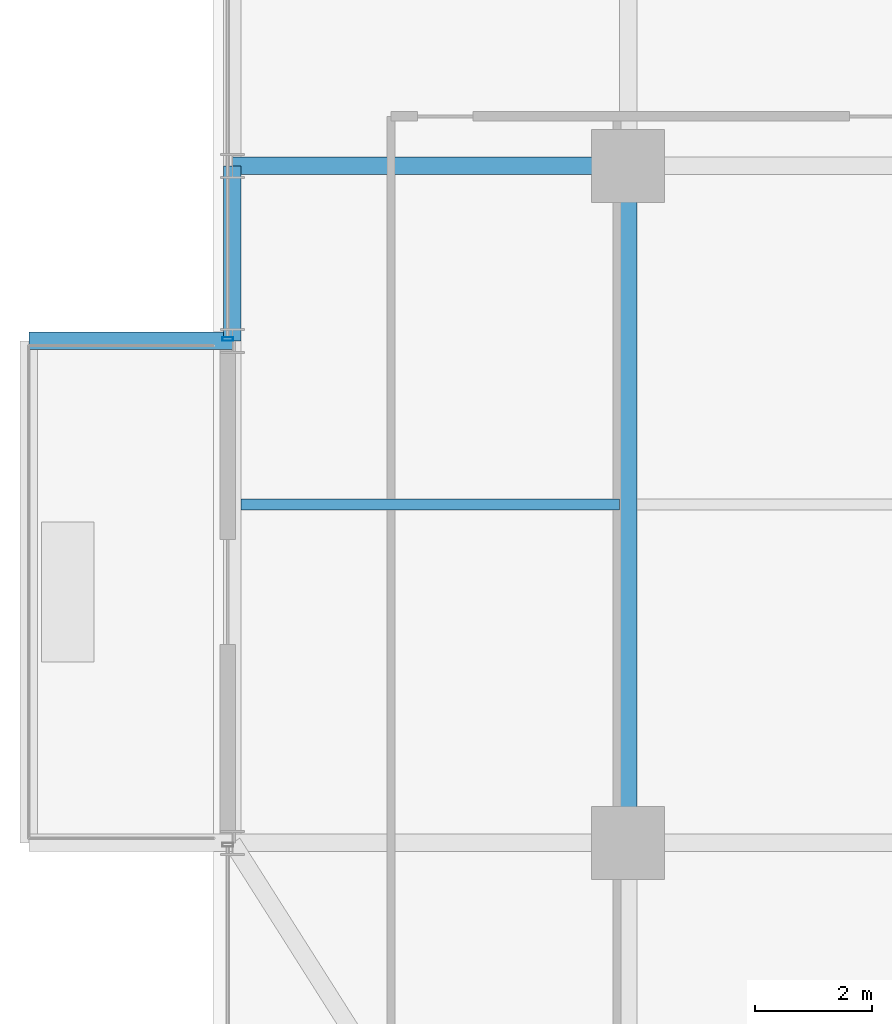
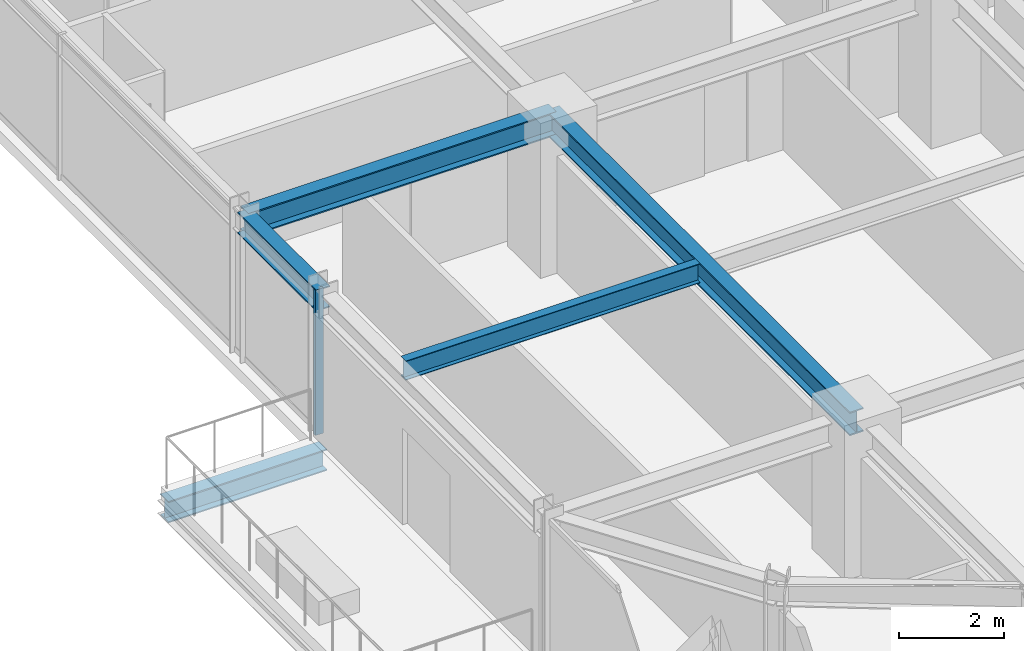
# One storey, part 7 of 32: 5 beams, 1 member, 1 element without a shape of its own.
"""IFC4 building model written with IfcOpenShell, lengths in metres."""

import ifcopenshell
import ifcopenshell.guid

model = None  # the IFC model being written
_history = None  # IfcOwnerHistory: only IFC2X3 demands one
_inside = {}  # id of a spatial element -> (the spatial element, [elements in it])
_under = {}  # id of a project, library or spatial element -> (it, [spatial elements below it])
_declared = {}  # id of a project -> (the project, [libraries it declares])
_typed = {}  # id of a type object -> (the type object, [elements of that type])
_made_of = {}  # id of a material, layer set ... -> (it, [elements and type objects made of it])


def new_model(schema):
    """Start an empty IFC model of exactly this schema.

    Asked for "IFC4X3", IfcOpenShell would pick the latest addendum, in which some entities
    have other attributes; the version numbers below select the first issue.
    IFC2X3 requires an IfcOwnerHistory on every rooted entity: one is made here for all.
    """
    global model, _history
    if schema == "IFC4X3":
        model = ifcopenshell.file(schema_version=(4, 3, 0, 0))
    else:
        model = ifcopenshell.file(schema=schema)
    _inside.clear()
    _under.clear()
    _declared.clear()
    _typed.clear()
    _made_of.clear()
    _history = None
    if model.schema == "IFC2X3":
        org = make("IfcOrganization", Name="unknown")
        user = make(
            "IfcPersonAndOrganization",
            ThePerson=make("IfcPerson", FamilyName="unknown"),
            TheOrganization=org,
        )
        app = make(
            "IfcApplication",
            ApplicationDeveloper=org,
            Version="unknown",
            ApplicationFullName="unknown",
            ApplicationIdentifier="unknown",
        )
        _history = make(
            "IfcOwnerHistory",
            OwningUser=user,
            OwningApplication=app,
            ChangeAction="ADDED",
            CreationDate=0,
        )
    return model


def make(cls, **values):
    """One entity of the class cls with the attributes given. An attribute that is None is left unset."""
    return model.create_entity(
        cls, **{name: value for name, value in values.items() if value is not None}
    )


def rooted(cls, **values):
    """An entity with a GlobalId (a new one), such as an element, a storey or a relation."""
    return make(cls, GlobalId=ifcopenshell.guid.new(), OwnerHistory=_history, **values)


def si_unit(unit_type, name, prefix=None):
    """IfcSIUnit, for example si_unit("LENGTHUNIT", "METRE", prefix="MILLI")."""
    return make("IfcSIUnit", UnitType=unit_type, Prefix=prefix, Name=name)


def assignment(units):
    """IfcUnitAssignment: the units of a project."""
    return None if units is None else make("IfcUnitAssignment", Units=units)


def point(xyz):
    """IfcCartesianPoint."""
    return None if xyz is None else make("IfcCartesianPoint", Coordinates=xyz)


def direction(xyz):
    """IfcDirection."""
    return None if xyz is None else make("IfcDirection", DirectionRatios=xyz)


def frame(location, z_axis=None, x_axis=None):
    """IfcAxis2Placement3D, a coordinate frame: its origin and axes. An axis left out is left unset."""
    return make(
        "IfcAxis2Placement3D",
        Location=point(location),
        Axis=direction(z_axis),
        RefDirection=direction(x_axis),
    )


def frame_2d(location, x_axis=None):
    """IfcAxis2Placement2D, a coordinate frame in the plane: its origin and x axis."""
    return make(
        "IfcAxis2Placement2D", Location=point(location), RefDirection=direction(x_axis)
    )


def origin():
    """The frame at (0, 0, 0) with its axes left unset."""
    return frame((0.0, 0.0, 0.0))


def origin_2d():
    """The frame at (0, 0) in the plane with its x axis left unset."""
    return frame_2d((0.0, 0.0))


def place(relative_to, where):
    """IfcLocalPlacement: puts the frame where relative to a parent placement (None: the world)."""
    return make(
        "IfcLocalPlacement", PlacementRelTo=relative_to, RelativePlacement=where
    )


def context(
    kind, dimensions, precision=None, world=None, true_north=None, identifier=None
):
    """IfcGeometricRepresentationContext, for example the 3D "Model" context."""
    return make(
        "IfcGeometricRepresentationContext",
        ContextIdentifier=identifier,
        ContextType=kind,
        CoordinateSpaceDimension=dimensions,
        Precision=precision,
        WorldCoordinateSystem=world,
        TrueNorth=true_north,
    )


def subcontext(parent, identifier, kind, view, scale=None):
    """IfcGeometricRepresentationSubContext, for example "Body" below "Model"."""
    return make(
        "IfcGeometricRepresentationSubContext",
        ContextIdentifier=identifier,
        ContextType=kind,
        ParentContext=parent,
        TargetScale=scale,
        TargetView=view,
    )


def project(units=None, contexts=None):
    """IfcProject with its units and contexts."""
    return rooted(
        "IfcProject",
        Name="project",
        RepresentationContexts=contexts,
        UnitsInContext=assignment(units),
    )


def spatial(cls, under=None, at=None, **own):
    """A site, building, storey or space (cls), placed at a placement, below another one or the project."""
    s = rooted(cls, ObjectPlacement=at, **own)
    if under is not None:
        _under.setdefault(under.id(), (under, []))[1].append(s)
    return s


def profile(cls, at=None, kind="AREA", **sizes):
    """A parametric profile (cls). Its sizes go by their IFC names, for example OverallWidth=200.0."""
    return make(cls, ProfileType=kind, Position=at, **sizes)


def hollow_rectangle(**sizes):
    """IfcRectangleHollowProfileDef."""
    return profile("IfcRectangleHollowProfileDef", **sizes)


def i_section(**sizes):
    """IfcIShapeProfileDef."""
    return profile("IfcIShapeProfileDef", **sizes)


def extrude(swept, where, along, depth):
    """IfcExtrudedAreaSolid: the profile swept, set in the frame where, extruded along a direction by depth."""
    return make(
        "IfcExtrudedAreaSolid",
        SweptArea=swept,
        Position=where,
        ExtrudedDirection=direction(along),
        Depth=depth,
    )


def shape(context_of_items, identifier, shape_type, items):
    """IfcShapeRepresentation: the items that make up one representation, for example the "Body"."""
    return make(
        "IfcShapeRepresentation",
        ContextOfItems=context_of_items,
        RepresentationIdentifier=identifier,
        RepresentationType=shape_type,
        Items=items,
    )


def source(mapping_origin, context_of_items, identifier, shape_type, items):
    """IfcRepresentationMap: a shape defined once, which mapped items show again and again."""
    return make(
        "IfcRepresentationMap",
        MappingOrigin=mapping_origin,
        MappedRepresentation=shape(context_of_items, identifier, shape_type, items),
    )


def transform(
    local_origin,
    x_axis=None,
    y_axis=None,
    z_axis=None,
    scale=None,
    scale2=None,
    scale3=None,
    uniform=True,
):
    """IfcCartesianTransformationOperator3D, or its non-uniform kind. x_axis, y_axis, z_axis: its Axis1, 2, 3."""
    if uniform:
        return make(
            "IfcCartesianTransformationOperator3D",
            Axis1=direction(x_axis),
            Axis2=direction(y_axis),
            LocalOrigin=point(local_origin),
            Scale=scale,
            Axis3=direction(z_axis),
        )
    return make(
        "IfcCartesianTransformationOperator3DnonUniform",
        Axis1=direction(x_axis),
        Axis2=direction(y_axis),
        LocalOrigin=point(local_origin),
        Scale=scale,
        Axis3=direction(z_axis),
        Scale2=scale2,
        Scale3=scale3,
    )


def mapped(mapping_source, mapping_target):
    """IfcMappedItem: shows the shape of a source again, moved by a transform."""
    return make(
        "IfcMappedItem", MappingSource=mapping_source, MappingTarget=mapping_target
    )


def material(Name=None, Category=None):
    """IfcMaterial."""
    return make("IfcMaterial", Name=Name, Category=Category)


def material_profile(
    of_material, cross_section, Name=None, Category=None, Priority=None
):
    """IfcMaterialProfile: a cross section and its material."""
    return make(
        "IfcMaterialProfile",
        Name=Name,
        Material=of_material,
        Profile=cross_section,
        Priority=Priority,
        Category=Category,
    )


def profile_set(profiles, Name=None, composite=None):
    """IfcMaterialProfileSet."""
    return make(
        "IfcMaterialProfileSet",
        Name=Name,
        MaterialProfiles=profiles,
        CompositeProfile=composite,
    )


def made_of(thing, what):
    """Note that an element or type object is made of a material, layer set ...; save() writes the relation."""
    if what is not None:
        _made_of.setdefault(what.id(), (what, []))[1].append(thing)
    return thing


def type_object(cls, material=None, **own):
    """A type object (cls), such as IfcWallType, which elements share."""
    return made_of(rooted(cls, **own), material)


def element(
    cls,
    number,
    at=None,
    inside=None,
    cuts=None,
    type_object=None,
    material=None,
    context=None,
    identifier="Body",
    shape_type=None,
    held_by="IfcProductDefinitionShape",
    body=None,
    shapes=None,
    **own,
):
    """One element of the class cls, such as IfcWall. Its Tag is "e" and its number.

    at: its placement. inside: the storey or other place that contains it. cuts: it is an
    opening in that element (IfcRelVoidsElement). A single representation is given by context,
    identifier, shape_type and body (its items); several are given by shapes. held_by: the class
    of the entity that holds the representations. save() writes the other relations.
    """
    e = rooted(cls, Tag="e%d" % number, ObjectPlacement=at, **own)
    if body is not None:
        shapes = [shape(context, identifier, shape_type, body)]
    if shapes is not None:
        e.Representation = make(held_by, Representations=shapes)
    if inside is not None:
        _inside.setdefault(inside.id(), (inside, []))[1].append(e)
    if cuts is not None:
        rooted(
            "IfcRelVoidsElement", RelatingBuildingElement=cuts, RelatedOpeningElement=e
        )
    if type_object is not None:
        _typed.setdefault(type_object.id(), (type_object, []))[1].append(e)
    return made_of(e, material)


def aggregate(whole, parts):
    """IfcRelAggregates: a whole, such as a stair, and the parts it consists of."""
    return rooted("IfcRelAggregates", RelatingObject=whole, RelatedObjects=parts)


def save(model, path):
    """Write the relations noted so far, then the file.

    IfcRelAggregates (storeys below a building ...), IfcRelContainedInSpatialStructure (elements
    in a storey), IfcRelDefinesByType, IfcRelAssociatesMaterial and IfcRelDeclares: one each for
    every whole, place, type object, material and project.
    """
    for whole, parts in _under.values():
        aggregate(whole, parts)
    for where, things in _inside.values():
        rooted(
            "IfcRelContainedInSpatialStructure",
            RelatedElements=things,
            RelatingStructure=where,
        )
    for kind, things in _typed.values():
        rooted("IfcRelDefinesByType", RelatedObjects=things, RelatingType=kind)
    for what, things in _made_of.values():
        rooted("IfcRelAssociatesMaterial", RelatedObjects=things, RelatingMaterial=what)
    for by, libraries in _declared.values():
        rooted("IfcRelDeclares", RelatingContext=by, RelatedDefinitions=libraries)
    model.write(path)


model = new_model("IFC4")

# Units and contexts
model_context = context("Model", 3, precision=1e-05, world=origin(), true_north=direction((0.0, 1.0)))
body_context = subcontext(model_context, "Body", "Model", "MODEL_VIEW")
ifc_project = project(units=[si_unit("LENGTHUNIT", "METRE"), si_unit("AREAUNIT", "SQUARE_METRE"), si_unit("VOLUMEUNIT", "CUBIC_METRE"), si_unit("PLANEANGLEUNIT", "RADIAN"), si_unit("MASSUNIT", "GRAM", prefix="KILO")], contexts=[model_context])

# Site, building, storey
site_placement = place(None, origin())
site = spatial("IfcSite", under=ifc_project, at=site_placement, CompositionType="ELEMENT")
building_placement = place(site_placement, origin())
building = spatial("IfcBuilding", under=site, at=building_placement, Name="Nahalor Promenade Grand Hotel", CompositionType="ELEMENT")
storey_placement = place(building_placement, frame((0.0, 0.0, 124.800048828125)))
storey = spatial("IfcBuildingStorey", under=building, at=storey_placement, Name="L31", CompositionType="ELEMENT", Elevation=124.800048828125)

# Beams
ifc_material_1 = material(Name="Steel S355JR", Category="steel")
ifc_material_profile_1 = material_profile(ifc_material_1, i_section(OverallWidth=0.3, OverallDepth=0.5, WebThickness=0.0145, FlangeThickness=0.028, at=origin_2d()), Name="HEB 500")
ifc_profile_set_1 = profile_set([ifc_material_profile_1], Name="Steel S355JR")
beam_type_1 = type_object("IfcBeamType", Name="Beam-Outrigger-HEB500", PredefinedType="BEAM", material=ifc_profile_set_1)
shared_shape_1 = source(origin(), body_context, "Body", "SweptSolid", [
    extrude(i_section(OverallWidth=0.3, OverallDepth=0.5, WebThickness=0.0145, FlangeThickness=0.028, at=origin_2d()), origin(), (0.0, 0.0, 1.0), 3.489990234375),
])
beam_1_placement = place(storey_placement, frame((-27.27001953125, -8.39990234375, -0.530029296875), z_axis=(1.0, 0.0, 0.0), x_axis=(0.0, 1.0, 0.0)))
element("IfcBeam", 1, at=beam_1_placement, inside=storey, type_object=beam_type_1, Name="BM-L31-BC-02-2", PredefinedType="BEAM", context=body_context, shape_type="MappedRepresentation", body=[
    mapped(shared_shape_1, transform((0.0, 0.0, 0.0), scale=1.0)),
])
ifc_material_profile_2 = material_profile(ifc_material_1, i_section(OverallWidth=0.3, OverallDepth=0.5, WebThickness=0.0145, FlangeThickness=0.028, at=origin_2d()), Name="HEB 500")
ifc_profile_set_2 = profile_set([ifc_material_profile_2], Name="Steel S355JR")
beam_type_2 = type_object("IfcBeamType", Name="Beam-Spandrel-HEB500", PredefinedType="SPANDREL", material=ifc_profile_set_2)
shared_shape_2 = source(origin(), body_context, "Body", "SweptSolid", [
    extrude(i_section(OverallWidth=0.3, OverallDepth=0.5, WebThickness=0.0145, FlangeThickness=0.028, at=origin_2d()), origin(), (0.0, 0.0, 1.0), 3.0),
])
beam_2_placement = place(storey_placement, frame((-23.780029296875, -8.39990234375, 3.1298828125), z_axis=(0.0, 1.0, 0.0), x_axis=(-1.0, 0.0, 0.0)))
element("IfcBeam", 2, at=beam_2_placement, inside=storey, type_object=beam_type_2, Name="BM-L31-SP-W-1", PredefinedType="SPANDREL", context=body_context, shape_type="MappedRepresentation", body=[
    mapped(shared_shape_2, transform((0.0, 0.0, 0.0), scale=1.0)),
])
ifc_material_profile_3 = material_profile(ifc_material_1, i_section(OverallWidth=0.3, OverallDepth=0.55, WebThickness=0.015, FlangeThickness=0.029, at=origin_2d()), Name="HEB 550")
ifc_profile_set_3 = profile_set([ifc_material_profile_3], Name="Steel S355JR")
beam_type_3 = type_object("IfcBeamType", Name="Beam-Girder-HEB550", PredefinedType="BEAM", material=ifc_profile_set_3)
shared_shape_3 = source(origin(), body_context, "Body", "SweptSolid", [
    extrude(i_section(OverallWidth=0.3, OverallDepth=0.55, WebThickness=0.015, FlangeThickness=0.029, at=origin_2d()), origin(), (0.0, 0.0, 1.0), 6.780029296875),
])
beam_3_placement = place(storey_placement, frame((-23.780029296875, -5.39990234375, 3.10498046875), z_axis=(1.0, 0.0, 0.0), x_axis=(0.0, 1.0, 0.0)))
element("IfcBeam", 3, at=beam_3_placement, inside=storey, type_object=beam_type_3, Name="BM-L31-GX-1-0", PredefinedType="BEAM", context=body_context, shape_type="MappedRepresentation", body=[
    mapped(shared_shape_3, transform((0.0, 0.0, 0.0), scale=1.0)),
])
shared_shape_4 = source(origin(), body_context, "Body", "SweptSolid", [
    extrude(i_section(OverallWidth=0.3, OverallDepth=0.55, WebThickness=0.015, FlangeThickness=0.029, at=origin_2d()), origin(), (0.0, 0.0, 1.0), 11.60009765625),
])
beam_4_placement = place(storey_placement, frame((-17.0, -17.0, 3.10498046875), z_axis=(0.0, 1.0, 0.0), x_axis=(-1.0, 0.0, 0.0)))
element("IfcBeam", 4, at=beam_4_placement, inside=storey, type_object=beam_type_3, Name="BM-L31-GY-0-1", PredefinedType="BEAM", context=body_context, shape_type="MappedRepresentation", body=[
    mapped(shared_shape_4, transform((0.0, 0.0, 0.0), scale=1.0)),
])
ifc_material_profile_4 = material_profile(ifc_material_1, i_section(OverallWidth=0.19, OverallDepth=0.45, WebThickness=0.0094, FlangeThickness=0.0146, at=origin_2d()), Name="IPE 450")
ifc_profile_set_4 = profile_set([ifc_material_profile_4], Name="Steel S355JR")
beam_type_4 = type_object("IfcBeamType", Name="Beam-Joist-IPE450", PredefinedType="JOIST", material=ifc_profile_set_4)
shared_shape_5 = source(origin(), body_context, "Body", "SweptSolid", [
    extrude(i_section(OverallWidth=0.19, OverallDepth=0.45, WebThickness=0.0094, FlangeThickness=0.0146, at=origin_2d()), origin(), (0.0, 0.0, 1.0), 6.47998046875),
])
beam_5_placement = place(storey_placement, frame((-23.6298828125, -11.199951171875, 3.155029296875), z_axis=(1.0, 0.0, 0.0), x_axis=(0.0, 1.0, 0.0)))
element("IfcBeam", 5, at=beam_5_placement, inside=storey, type_object=beam_type_4, Name="BM-L31-JSW-0-0", PredefinedType="JOIST", context=body_context, shape_type="MappedRepresentation", body=[
    mapped(shared_shape_5, transform((0.0, 0.0, 0.0), scale=1.0)),
])

# Curtain wall, member
ifc_material_2 = material(Name="Anodised Bronze Aluminium EN AW-6063 T6", Category="aluminium")
curtain_wall_type = type_object("IfcCurtainWallType", Name="CW2 Typical Hotel Flush Bronze Unitised Curtain Wall", PredefinedType="USERDEFINED", material=ifc_material_2)
curtain_wall_placement = place(storey_placement, origin())
curtain_wall = element("IfcCurtainWall", 6, at=curtain_wall_placement, inside=storey, type_object=curtain_wall_type, Name="L31 Curtain Wall CW-L31-W-3", ObjectType="UNITISED_CURTAIN_WALL", PredefinedType="USERDEFINED")
ifc_material_profile_5 = material_profile(ifc_material_2, hollow_rectangle(XDim=0.065, YDim=0.18, WallThickness=0.004, at=origin_2d()), Name="CWM 65x180x4")
ifc_profile_set_5 = profile_set([ifc_material_profile_5], Name="Anodised Bronze Aluminium EN AW-6063 T6")
member_type = type_object("IfcMemberType", Name="CWM2 Typical Bronze Mullion 65x180", PredefinedType="MULLION", material=ifc_profile_set_5)
shared_shape_6 = source(origin(), body_context, "Body", "SweptSolid", [
    extrude(hollow_rectangle(XDim=0.065, YDim=0.18, WallThickness=0.004, at=origin_2d()), origin(), (0.0, 0.0, 1.0), 3.3798828125),
])
member_placement = place(storey_placement, frame((-23.860107421875, -8.367431640625, 0.0), z_axis=(0.0, 0.0, 1.0), x_axis=(0.0, 1.0, 0.0)))
member = element("IfcMember", 7, at=member_placement, type_object=member_type, Name="CW-L31-W-3 Mullion 0", PredefinedType="MULLION", context=body_context, shape_type="MappedRepresentation", body=[
    mapped(shared_shape_6, transform((0.0, 0.0, 0.0), scale=1.0)),
])
aggregate(curtain_wall, [member])

save(model, "model.ifc")
